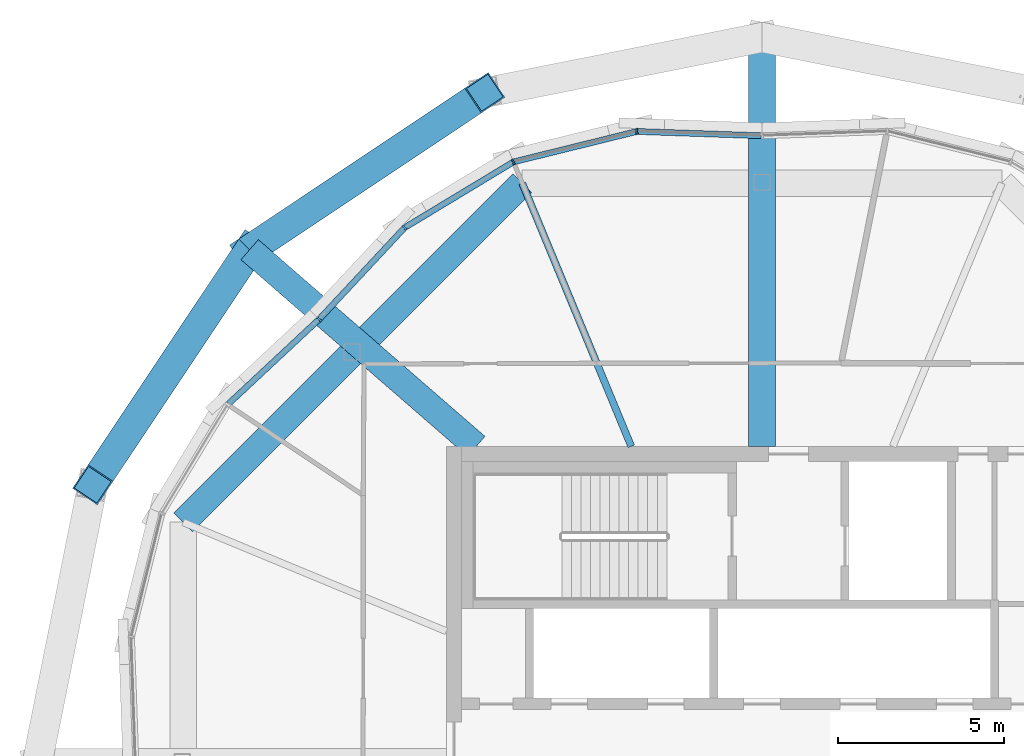
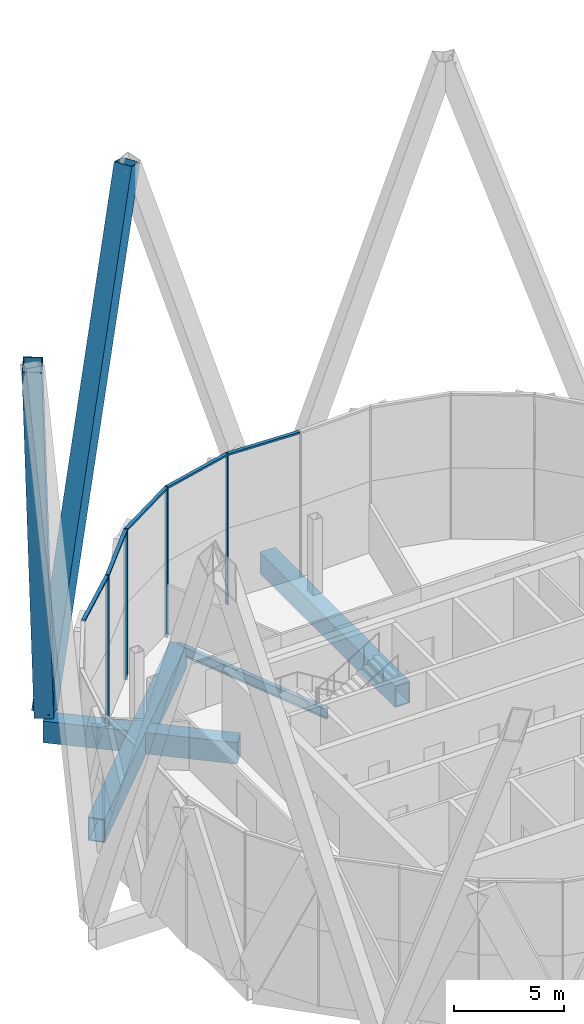
# One storey, part 8 of 38: 11 members, 4 beams, 2 elements without a shape of their own.
"""IFC4 building model written with IfcOpenShell, lengths in metres."""

from ifc_helpers import new_model, si_unit, direction, frame, origin, origin_2d, place, context, subcontext, project, spatial, rectangle, hollow_rectangle, i_section, extrude, material, material_profile, profile_set, type_object, element, aggregate, save


model = new_model("IFC4")

# Units and contexts
model_context = context("Model", 3, precision=1e-05, world=origin(), true_north=direction((0.0, 1.0)))
body_context = subcontext(model_context, "Body", "Model", "MODEL_VIEW")
ifc_project = project(units=[si_unit("LENGTHUNIT", "METRE"), si_unit("AREAUNIT", "SQUARE_METRE"), si_unit("VOLUMEUNIT", "CUBIC_METRE"), si_unit("PLANEANGLEUNIT", "RADIAN"), si_unit("MASSUNIT", "GRAM", prefix="KILO")], contexts=[model_context])

# Site, building, storey
site_placement = place(None, origin())
site = spatial("IfcSite", under=ifc_project, at=site_placement, CompositionType="ELEMENT")
building_placement = place(site_placement, origin())
building = spatial("IfcBuilding", under=site, at=building_placement, Name="Ogive Gate Towers", CompositionType="ELEMENT")
storey_placement = place(building_placement, frame((0.0, 0.0, 268.800048828125)))
storey = spatial("IfcBuildingStorey", under=building, at=storey_placement, Name="L63", CompositionType="ELEMENT", Elevation=268.800048828125)

# Members
ifc_material_1 = material(Name="Steel SM460", Category="steel")
ifc_material_profile_1 = material_profile(ifc_material_1, hollow_rectangle(XDim=0.89990234375, YDim=0.89990234375, WallThickness=0.0400390625, at=origin_2d()), Name="BX 900x900x40")
ifc_profile_set_1 = profile_set([ifc_material_profile_1], Name="Steel SM460")
member_type_1 = type_object("IfcMemberType", Name="Diagrid diagonal BX 900x900x40", PredefinedType="BRACE", material=ifc_profile_set_1)
for number, where, z_axis, x_axis, name in (
    (1, (-51.422119140625, 15.422119140625, 0.0), (0.266099402159, 0.177577062234, 0.947447885184), (-0.555084174574, 0.831794180755, 0.0), "T1/L63/SDG007"),
    (2, (-51.422119140625, 15.422119140625, 0.0), (-0.177577062234, -0.266099402159, 0.947447885184), (0.831794180755, -0.555084174574, 0.0), "T1/L63/SDG008"),
):
    element("IfcMember", number, at=place(storey_placement, frame(where, z_axis=z_axis, x_axis=x_axis)), inside=storey, type_object=member_type_1, Name=name, PredefinedType="BRACE", context=body_context, shape_type="SweptSolid", body=[
        extrude(hollow_rectangle(XDim=0.89990234375, YDim=0.89990234375, WallThickness=0.0400390625, at=origin_2d()), origin(), (0.0, 0.0, 1.0), 26.59765625),
    ])

# Beams
ifc_material_profile_2 = material_profile(ifc_material_1, hollow_rectangle(XDim=0.800048828125, YDim=1.300048828125, WallThickness=0.050048828125, at=origin_2d()), Name="BX 1300x800x50")
ifc_profile_set_2 = profile_set([ifc_material_profile_2], Name="Steel SM460")
beam_type_1 = type_object("IfcBeamType", Name="Edge girder BX 1300x800x50", PredefinedType="BEAM", material=ifc_profile_set_2)
beam_1_placement = place(storey_placement, frame((-43.217529296875, 17.42431640625, -0.949951171875), z_axis=(-0.707106781187, -0.707106781187, 0.0), x_axis=(0.707106781187, -0.707106781187, 0.0)))
element("IfcBeam", 3, at=beam_1_placement, inside=storey, type_object=beam_type_1, Name="T1/L63/SBM023", PredefinedType="BEAM", context=body_context, shape_type="SweptSolid", body=[
    extrude(hollow_rectangle(XDim=0.800048828125, YDim=1.300048828125, WallThickness=0.050048828125, at=origin_2d()), origin(), (0.0, 0.0, 1.0), 14.4345703125),
])
ifc_material_2 = material(Name="Steel SM355", Category="steel")
ifc_material_profile_3 = material_profile(ifc_material_2, i_section(OverallWidth=0.2099609375, OverallDepth=0.550048828125, WebThickness=0.010986328125, FlangeThickness=0.01708984375, FilletRadius=0.02392578125, at=origin_2d()), Name="IPE 550")
ifc_profile_set_3 = profile_set([ifc_material_profile_3], Name="Steel SM355")
beam_type_2 = type_object("IfcBeamType", Name="Radial floor beam IPE 550", PredefinedType="BEAM", material=ifc_profile_set_3)
beam_2_placement = place(storey_placement, frame((-39.93505859375, 9.5, -0.574951171875), z_axis=(-0.382694515667, 0.923874941579, 0.0), x_axis=(-0.923874941579, -0.382694515667, 0.0)))
element("IfcBeam", 4, at=beam_2_placement, inside=storey, type_object=beam_type_2, Name="T1/L63/SBM013", PredefinedType="BEAM", context=body_context, shape_type="SweptSolid", body=[
    extrude(i_section(OverallWidth=0.2099609375, OverallDepth=0.550048828125, WebThickness=0.010986328125, FlangeThickness=0.01708984375, FilletRadius=0.02392578125, at=origin_2d()), origin(), (0.0, 0.0, 1.0), 8.5771484375),
])

# Curtain wall, members
ifc_material_3 = material(Name="Pale metal aluminium", Category="aluminium")
curtain_wall_type = type_object("IfcCurtainWallType", Name="Tower unitised wall, high zone", PredefinedType="NOTDEFINED", material=ifc_material_3)
curtain_wall_1_placement = place(storey_placement, origin())
curtain_wall_1 = element("IfcCurtainWall", 5, at=curtain_wall_1_placement, inside=storey, type_object=curtain_wall_type, Name="CW2 T1 ECW03", PredefinedType="NOTDEFINED")
ifc_material_profile_4 = material_profile(ifc_material_3, rectangle(XDim=0.179931640625, YDim=0.06005859375, at=origin_2d()), Name="60 x 180 aluminium box")
ifc_profile_set_4 = profile_set([ifc_material_profile_4], Name="Pale metal aluminium")
member_type_2 = type_object("IfcMemberType", Name="Tower unitised wall, high zone mullion 60 x 180", PredefinedType="MULLION", material=ifc_profile_set_4)
member_1_placement = place(storey_placement, frame((-39.766845703125, 18.98046875, -0.300048828125), z_axis=(0.0, 0.0, 1.0), x_axis=(-0.103608461555, 0.994618161253, 0.0)))
member_1 = element("IfcMember", 6, at=member_1_placement, type_object=member_type_2, Name="CW2 mullion", PredefinedType="MULLION", context=body_context, shape_type="SweptSolid", body=[
    extrude(rectangle(XDim=0.179931640625, YDim=0.06005859375, at=origin_2d()), origin(), (0.0, 0.0, 1.0), 8.39990234375),
])
member_2_placement = place(storey_placement, frame((-43.48193359375, 18.06298828125, -0.300048828125), z_axis=(0.0, 0.0, 1.0), x_axis=(-0.382683432365, 0.923879532511, 0.0)))
member_2 = element("IfcMember", 7, at=member_2_placement, type_object=member_type_2, Name="CW2 mullion", PredefinedType="MULLION", context=body_context, shape_type="SweptSolid", body=[
    extrude(rectangle(XDim=0.179931640625, YDim=0.06005859375, at=origin_2d()), origin(), (0.0, 0.0, 1.0), 8.39990234375),
])
member_3_placement = place(storey_placement, frame((-46.757568359375, 16.084716796875, -0.300048828125), z_axis=(0.0, 0.0, 1.0), x_axis=(-0.630039000759, 0.776563492267, 0.0)))
member_3 = element("IfcMember", 8, at=member_3_placement, type_object=member_type_2, Name="CW2 mullion", PredefinedType="MULLION", context=body_context, shape_type="SweptSolid", body=[
    extrude(rectangle(XDim=0.179931640625, YDim=0.06005859375, at=origin_2d()), origin(), (0.0, 0.0, 1.0), 8.39990234375),
])
member_4_placement = place(storey_placement, frame((-49.328857421875, 13.329345703125, -0.300048828125), z_axis=(0.0, 0.0, 1.0), x_axis=(-0.73111559473, 0.682253609109, 0.0)))
member_4 = element("IfcMember", 9, at=member_4_placement, type_object=member_type_2, Name="CW2 mullion", PredefinedType="MULLION", context=body_context, shape_type="SweptSolid", body=[
    extrude(rectangle(XDim=0.179931640625, YDim=0.06005859375, at=origin_2d()), origin(), (0.0, 0.0, 1.0), 8.39990234375),
])
ifc_material_profile_5 = material_profile(ifc_material_3, rectangle(XDim=0.179931640625, YDim=0.10009765625, at=origin_2d()), Name="100 x 180 aluminium box")
ifc_profile_set_5 = profile_set([ifc_material_profile_5], Name="Pale metal aluminium")
member_type_3 = type_object("IfcMemberType", Name="Tower unitised wall, high zone transom 100 x 180", PredefinedType="USERDEFINED", material=ifc_profile_set_5)
member_5_placement = place(storey_placement, frame((-36.0302734375, 18.85107421875, 8.050048828125), z_axis=(-0.999403104292, 0.034546130482, 0.0), x_axis=(-0.034546130482, -0.999403104292, 0.0)))
member_5 = element("IfcMember", 10, at=member_5_placement, type_object=member_type_3, Name="CW2 transom", ObjectType="TRANSOM", PredefinedType="USERDEFINED", context=body_context, shape_type="SweptSolid", body=[
    extrude(rectangle(XDim=0.179931640625, YDim=0.10009765625, at=origin_2d()), origin(), (0.0, 0.0, 1.0), 3.710205078125),
])
member_6_placement = place(storey_placement, frame((-39.794677734375, 18.973388671875, 8.050048828125), z_axis=(-0.970828181988, -0.239776231218, 0.0), x_axis=(0.239776231218, -0.970828181988, 0.0)))
member_6 = element("IfcMember", 11, at=member_6_placement, type_object=member_type_3, Name="CW2 transom", ObjectType="TRANSOM", PredefinedType="USERDEFINED", context=body_context, shape_type="SweptSolid", body=[
    extrude(rectangle(XDim=0.179931640625, YDim=0.10009765625, at=origin_2d()), origin(), (0.0, 0.0, 1.0), 3.769287109375),
])
member_7_placement = place(storey_placement, frame((-43.506103515625, 18.048095703125, 8.050048828125), z_axis=(-0.856009288954, -0.516960440677, 0.0), x_axis=(0.516960440677, -0.856009288954, 0.0)))
member_7 = element("IfcMember", 12, at=member_7_placement, type_object=member_type_3, Name="CW2 transom", ObjectType="TRANSOM", PredefinedType="USERDEFINED", context=body_context, shape_type="SweptSolid", body=[
    extrude(rectangle(XDim=0.179931640625, YDim=0.10009765625, at=origin_2d()), origin(), (0.0, 0.0, 1.0), 3.76953125),
])
member_8_placement = place(storey_placement, frame((-46.777099609375, 16.063720703125, 8.050048828125), z_axis=(-0.682271356681, -0.731099032863, 0.0), x_axis=(0.731099032863, -0.682271356681, 0.0)))
member_8 = element("IfcMember", 13, at=member_8_placement, type_object=member_type_3, Name="CW2 transom", ObjectType="TRANSOM", PredefinedType="USERDEFINED", context=body_context, shape_type="SweptSolid", body=[
    extrude(rectangle(XDim=0.179931640625, YDim=0.10009765625, at=origin_2d()), origin(), (0.0, 0.0, 1.0), 3.7099609375),
])
aggregate(curtain_wall_1, [member_1, member_5, member_2, member_6, member_3, member_7, member_4, member_8])

# Curtain wall, member
curtain_wall_2_placement = place(storey_placement, origin())
curtain_wall_2 = element("IfcCurtainWall", 14, at=curtain_wall_2_placement, inside=storey, type_object=curtain_wall_type, Name="CW2 T1 ECW04", PredefinedType="NOTDEFINED")
member_9_placement = place(storey_placement, frame((-49.351318359375, 13.308349609375, 8.050048828125), z_axis=(-0.731099032863, -0.682271356681, 0.0), x_axis=(0.682271356681, -0.731099032863, 0.0)))
member_9 = element("IfcMember", 15, at=member_9_placement, type_object=member_type_3, Name="CW2 transom", ObjectType="TRANSOM", PredefinedType="USERDEFINED", context=body_context, shape_type="SweptSolid", body=[
    extrude(rectangle(XDim=0.179931640625, YDim=0.10009765625, at=origin_2d()), origin(), (0.0, 0.0, 1.0), 3.7099609375),
])
aggregate(curtain_wall_2, [member_9])

# Beams
ifc_material_profile_6 = material_profile(ifc_material_1, hollow_rectangle(XDim=0.800048828125, YDim=1.199951171875, WallThickness=0.050048828125, at=origin_2d()), Name="BX 1200x800x50")
ifc_profile_set_6 = profile_set([ifc_material_profile_6], Name="Steel SM460")
beam_type_3 = type_object("IfcBeamType", Name="Transfer radial beam BX 1200x800x50", PredefinedType="BEAM", material=ifc_profile_set_6)
beam_3_placement = place(storey_placement, frame((-36.0, 9.5, -0.900146484375), z_axis=(0.0, 1.0, 0.0), x_axis=(-1.0, 0.0, 0.0)))
element("IfcBeam", 16, at=beam_3_placement, inside=storey, type_object=beam_type_3, Name="T1/L63/SBM012", PredefinedType="BEAM", context=body_context, shape_type="SweptSolid", body=[
    extrude(hollow_rectangle(XDim=0.800048828125, YDim=1.199951171875, WallThickness=0.050048828125, at=origin_2d()), origin(), (0.0, 0.0, 1.0), 12.31005859375),
])
beam_4_placement = place(storey_placement, frame((-44.60009765625, 9.5, -0.900146484375), z_axis=(-0.755157389596, 0.655543527875, 0.0), x_axis=(-0.655543527875, -0.755157389596, 0.0)))
element("IfcBeam", 17, at=beam_4_placement, inside=storey, type_object=beam_type_3, Name="T1/L63/SBM014", PredefinedType="BEAM", context=body_context, shape_type="SweptSolid", body=[
    extrude(hollow_rectangle(XDim=0.800048828125, YDim=1.199951171875, WallThickness=0.050048828125, at=origin_2d()), origin(), (0.0, 0.0, 1.0), 9.033935546875),
])

save(model, "model.ifc")
